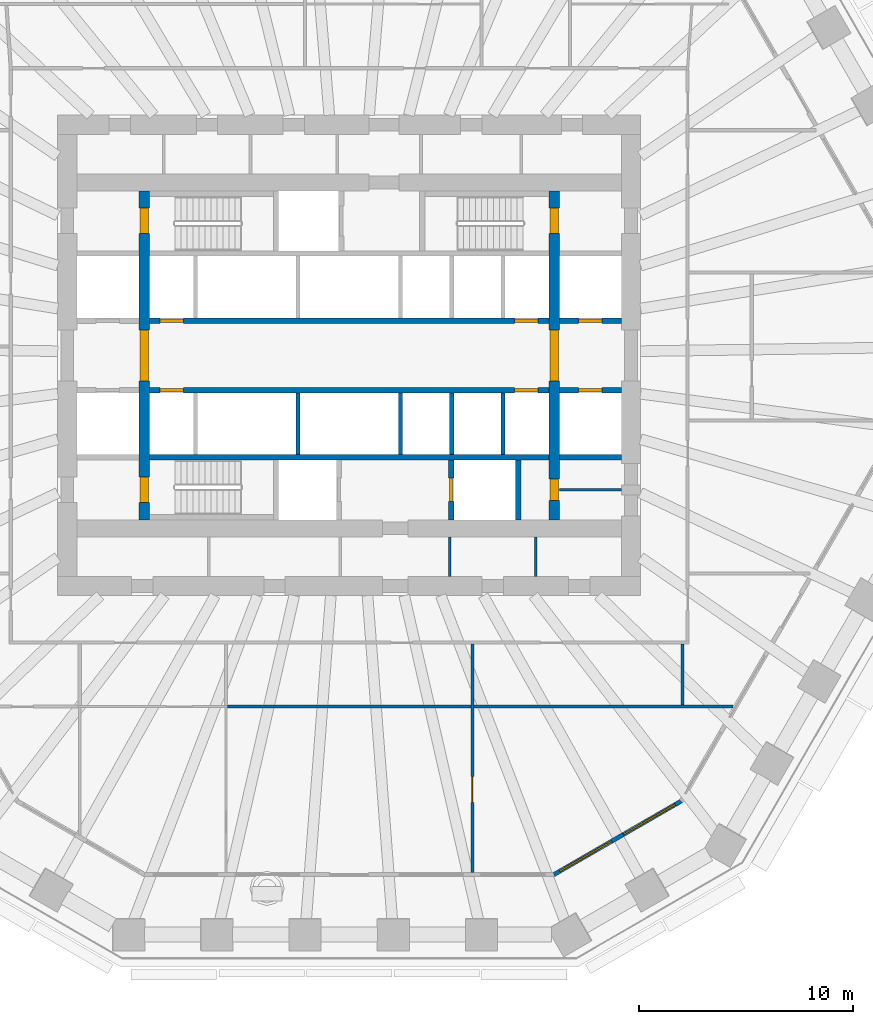
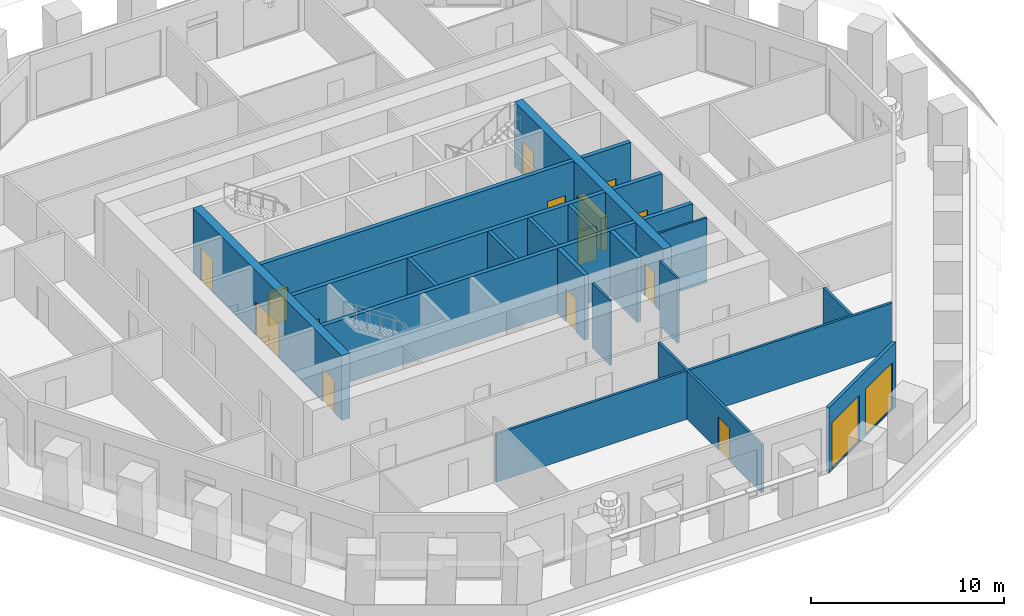
# One storey, part 5 of 13: 21 walls, 14 doors, 2 windows, 16 openings.
"""IFC4 building model written with IfcOpenShell, lengths in metres."""

import ifcopenshell
import ifcopenshell.guid

model = None  # the IFC model being written
_history = None  # IfcOwnerHistory: only IFC2X3 demands one
_inside = {}  # id of a spatial element -> (the spatial element, [elements in it])
_under = {}  # id of a project, library or spatial element -> (it, [spatial elements below it])
_declared = {}  # id of a project -> (the project, [libraries it declares])
_typed = {}  # id of a type object -> (the type object, [elements of that type])
_made_of = {}  # id of a material, layer set ... -> (it, [elements and type objects made of it])


def new_model(schema):
    """Start an empty IFC model of exactly this schema.

    Asked for "IFC4X3", IfcOpenShell would pick the latest addendum, in which some entities
    have other attributes; the version numbers below select the first issue.
    IFC2X3 requires an IfcOwnerHistory on every rooted entity: one is made here for all.
    """
    global model, _history
    if schema == "IFC4X3":
        model = ifcopenshell.file(schema_version=(4, 3, 0, 0))
    else:
        model = ifcopenshell.file(schema=schema)
    _inside.clear()
    _under.clear()
    _declared.clear()
    _typed.clear()
    _made_of.clear()
    _history = None
    if model.schema == "IFC2X3":
        org = make("IfcOrganization", Name="unknown")
        user = make(
            "IfcPersonAndOrganization",
            ThePerson=make("IfcPerson", FamilyName="unknown"),
            TheOrganization=org,
        )
        app = make(
            "IfcApplication",
            ApplicationDeveloper=org,
            Version="unknown",
            ApplicationFullName="unknown",
            ApplicationIdentifier="unknown",
        )
        _history = make(
            "IfcOwnerHistory",
            OwningUser=user,
            OwningApplication=app,
            ChangeAction="ADDED",
            CreationDate=0,
        )
    return model


def make(cls, **values):
    """One entity of the class cls with the attributes given. An attribute that is None is left unset."""
    return model.create_entity(
        cls, **{name: value for name, value in values.items() if value is not None}
    )


def rooted(cls, **values):
    """An entity with a GlobalId (a new one), such as an element, a storey or a relation."""
    return make(cls, GlobalId=ifcopenshell.guid.new(), OwnerHistory=_history, **values)


def si_unit(unit_type, name, prefix=None):
    """IfcSIUnit, for example si_unit("LENGTHUNIT", "METRE", prefix="MILLI")."""
    return make("IfcSIUnit", UnitType=unit_type, Prefix=prefix, Name=name)


def assignment(units):
    """IfcUnitAssignment: the units of a project."""
    return None if units is None else make("IfcUnitAssignment", Units=units)


def point(xyz):
    """IfcCartesianPoint."""
    return None if xyz is None else make("IfcCartesianPoint", Coordinates=xyz)


def direction(xyz):
    """IfcDirection."""
    return None if xyz is None else make("IfcDirection", DirectionRatios=xyz)


def frame(location, z_axis=None, x_axis=None):
    """IfcAxis2Placement3D, a coordinate frame: its origin and axes. An axis left out is left unset."""
    return make(
        "IfcAxis2Placement3D",
        Location=point(location),
        Axis=direction(z_axis),
        RefDirection=direction(x_axis),
    )


def frame_2d(location, x_axis=None):
    """IfcAxis2Placement2D, a coordinate frame in the plane: its origin and x axis."""
    return make(
        "IfcAxis2Placement2D", Location=point(location), RefDirection=direction(x_axis)
    )


def origin():
    """The frame at (0, 0, 0) with its axes left unset."""
    return frame((0.0, 0.0, 0.0))


def place(relative_to, where):
    """IfcLocalPlacement: puts the frame where relative to a parent placement (None: the world)."""
    return make(
        "IfcLocalPlacement", PlacementRelTo=relative_to, RelativePlacement=where
    )


def context(
    kind, dimensions, precision=None, world=None, true_north=None, identifier=None
):
    """IfcGeometricRepresentationContext, for example the 3D "Model" context."""
    return make(
        "IfcGeometricRepresentationContext",
        ContextIdentifier=identifier,
        ContextType=kind,
        CoordinateSpaceDimension=dimensions,
        Precision=precision,
        WorldCoordinateSystem=world,
        TrueNorth=true_north,
    )


def subcontext(parent, identifier, kind, view, scale=None):
    """IfcGeometricRepresentationSubContext, for example "Body" below "Model"."""
    return make(
        "IfcGeometricRepresentationSubContext",
        ContextIdentifier=identifier,
        ContextType=kind,
        ParentContext=parent,
        TargetScale=scale,
        TargetView=view,
    )


def project(units=None, contexts=None):
    """IfcProject with its units and contexts."""
    return rooted(
        "IfcProject",
        Name="project",
        RepresentationContexts=contexts,
        UnitsInContext=assignment(units),
    )


def spatial(cls, under=None, at=None, **own):
    """A site, building, storey or space (cls), placed at a placement, below another one or the project."""
    s = rooted(cls, ObjectPlacement=at, **own)
    if under is not None:
        _under.setdefault(under.id(), (under, []))[1].append(s)
    return s


def polyline(points):
    """IfcPolyline through the points."""
    return make("IfcPolyline", Points=[point(p) for p in points])


def profile(cls, at=None, kind="AREA", **sizes):
    """A parametric profile (cls). Its sizes go by their IFC names, for example OverallWidth=200.0."""
    return make(cls, ProfileType=kind, Position=at, **sizes)


def rectangle(**sizes):
    """IfcRectangleProfileDef."""
    return profile("IfcRectangleProfileDef", **sizes)


def outline(outer, holes=None, kind="AREA"):
    """IfcArbitraryClosedProfileDef: a profile drawn as a closed curve; with holes, ...WithVoids."""
    if holes is None:
        return make("IfcArbitraryClosedProfileDef", ProfileType=kind, OuterCurve=outer)
    return make(
        "IfcArbitraryProfileDefWithVoids",
        ProfileType=kind,
        OuterCurve=outer,
        InnerCurves=holes,
    )


def extrude(swept, where, along, depth):
    """IfcExtrudedAreaSolid: the profile swept, set in the frame where, extruded along a direction by depth."""
    return make(
        "IfcExtrudedAreaSolid",
        SweptArea=swept,
        Position=where,
        ExtrudedDirection=direction(along),
        Depth=depth,
    )


def shape(context_of_items, identifier, shape_type, items):
    """IfcShapeRepresentation: the items that make up one representation, for example the "Body"."""
    return make(
        "IfcShapeRepresentation",
        ContextOfItems=context_of_items,
        RepresentationIdentifier=identifier,
        RepresentationType=shape_type,
        Items=items,
    )


def material(Name=None, Category=None):
    """IfcMaterial."""
    return make("IfcMaterial", Name=Name, Category=Category)


def layer(
    of_material, thickness, ventilated=None, Name=None, Category=None, Priority=None
):
    """IfcMaterialLayer: one layer of a wall or slab, of a material (None: an air gap)."""
    return make(
        "IfcMaterialLayer",
        Material=of_material,
        LayerThickness=thickness,
        IsVentilated=ventilated,
        Name=Name,
        Category=Category,
        Priority=Priority,
    )


def layer_set(layers, Name=None):
    """IfcMaterialLayerSet."""
    return make("IfcMaterialLayerSet", MaterialLayers=layers, LayerSetName=Name)


def made_of(thing, what):
    """Note that an element or type object is made of a material, layer set ...; save() writes the relation."""
    if what is not None:
        _made_of.setdefault(what.id(), (what, []))[1].append(thing)
    return thing


def type_object(cls, material=None, **own):
    """A type object (cls), such as IfcWallType, which elements share."""
    return made_of(rooted(cls, **own), material)


def element(
    cls,
    number,
    at=None,
    inside=None,
    cuts=None,
    type_object=None,
    material=None,
    context=None,
    identifier="Body",
    shape_type=None,
    held_by="IfcProductDefinitionShape",
    body=None,
    shapes=None,
    **own,
):
    """One element of the class cls, such as IfcWall. Its Tag is "e" and its number.

    at: its placement. inside: the storey or other place that contains it. cuts: it is an
    opening in that element (IfcRelVoidsElement). A single representation is given by context,
    identifier, shape_type and body (its items); several are given by shapes. held_by: the class
    of the entity that holds the representations. save() writes the other relations.
    """
    e = rooted(cls, Tag="e%d" % number, ObjectPlacement=at, **own)
    if body is not None:
        shapes = [shape(context, identifier, shape_type, body)]
    if shapes is not None:
        e.Representation = make(held_by, Representations=shapes)
    if inside is not None:
        _inside.setdefault(inside.id(), (inside, []))[1].append(e)
    if cuts is not None:
        rooted(
            "IfcRelVoidsElement", RelatingBuildingElement=cuts, RelatedOpeningElement=e
        )
    if type_object is not None:
        _typed.setdefault(type_object.id(), (type_object, []))[1].append(e)
    return made_of(e, material)


def fill(opening, filler):
    """IfcRelFillsElement: the door or window that sits in an opening."""
    return rooted(
        "IfcRelFillsElement",
        RelatingOpeningElement=opening,
        RelatedBuildingElement=filler,
    )


def aggregate(whole, parts):
    """IfcRelAggregates: a whole, such as a stair, and the parts it consists of."""
    return rooted("IfcRelAggregates", RelatingObject=whole, RelatedObjects=parts)


def save(model, path):
    """Write the relations noted so far, then the file.

    IfcRelAggregates (storeys below a building ...), IfcRelContainedInSpatialStructure (elements
    in a storey), IfcRelDefinesByType, IfcRelAssociatesMaterial and IfcRelDeclares: one each for
    every whole, place, type object, material and project.
    """
    for whole, parts in _under.values():
        aggregate(whole, parts)
    for where, things in _inside.values():
        rooted(
            "IfcRelContainedInSpatialStructure",
            RelatedElements=things,
            RelatingStructure=where,
        )
    for kind, things in _typed.values():
        rooted("IfcRelDefinesByType", RelatedObjects=things, RelatingType=kind)
    for what, things in _made_of.values():
        rooted("IfcRelAssociatesMaterial", RelatedObjects=things, RelatingMaterial=what)
    for by, libraries in _declared.values():
        rooted("IfcRelDeclares", RelatingContext=by, RelatedDefinitions=libraries)
    model.write(path)


model = new_model("IFC4")

# Units and contexts
model_context = context("Model", 3, precision=1e-05, world=origin(), true_north=direction((0.0, 1.0)))
body_context = subcontext(model_context, "Body", "Model", "MODEL_VIEW")
ifc_project = project(units=[si_unit("LENGTHUNIT", "METRE"), si_unit("AREAUNIT", "SQUARE_METRE"), si_unit("VOLUMEUNIT", "CUBIC_METRE"), si_unit("PLANEANGLEUNIT", "RADIAN"), si_unit("MASSUNIT", "GRAM", prefix="KILO")], contexts=[model_context])

# Site, building, storey
site_placement = place(None, origin())
site = spatial("IfcSite", under=ifc_project, at=site_placement, CompositionType="ELEMENT")
building_placement = place(site_placement, origin())
building = spatial("IfcBuilding", under=site, at=building_placement, Name="Frailejon Research Tower", CompositionType="ELEMENT")
storey_placement = place(building_placement, frame((0.0, 0.0, 27.800048828125)))
storey = spatial("IfcBuildingStorey", under=building, at=storey_placement, Name="L06", CompositionType="ELEMENT", Elevation=27.800048828125)

# Walls
ifc_material_1 = material(Name="Plasterboard on steel studs", Category="steel")
ifc_layer_1 = layer(ifc_material_1, 0.125)
ifc_layer_set_1 = layer_set([ifc_layer_1], Name="Core partition 125")
wall_type_1 = type_object("IfcWallType", Name="Core partition 125", PredefinedType="PARTITIONING", material=ifc_layer_set_1)
wall_1_placement = place(storey_placement, frame((9.85009765625, -6.300048828125, 0.0), z_axis=(0.0, 0.0, 1.0), x_axis=(1.0, 0.0, 0.0)))
element("IfcWall", 1, at=wall_1_placement, inside=storey, type_object=wall_type_1, Name="Core partition", PredefinedType="PARTITIONING", context=body_context, shape_type="SweptSolid", body=[
    extrude(rectangle(XDim=2.89990234375, YDim=0.125, at=frame_2d((1.449951171875, 0.0))), origin(), (0.0, 0.0, 1.0), 4.099853515625),
])
for number, where, z_axis, x_axis, name in (
    (2, (4.71240234375, -10.35009765625, 0.0), (0.0, 0.0, 1.0), (0.0, 1.0, 0.0), "Core partition"),
    (3, (8.731201171875, -10.35009765625, 0.0), (0.0, 0.0, 1.0), (0.0, 1.0, 0.0), "Core partition"),
):
    element("IfcWall", number, at=place(storey_placement, frame(where, z_axis=z_axis, x_axis=x_axis)), inside=storey, type_object=wall_type_1, Name=name, PredefinedType="PARTITIONING", context=body_context, shape_type="SweptSolid", body=[
        extrude(rectangle(XDim=1.85009765625, YDim=0.125, at=frame_2d((0.925048828125, 0.0))), origin(), (0.0, 0.0, 1.0), 4.099853515625),
    ])

# Wall, openings, doors
ifc_material_2 = material(Name="Concrete C70/85", Category="concrete")
ifc_layer_2 = layer(ifc_material_2, 0.5)
ifc_layer_set_2 = layer_set([ifc_layer_2], Name="Core shear wall 500 C70/85")
wall_type_2 = type_object("IfcWallType", Name="Core shear wall 500 C70/85", PredefinedType="SHEAR", material=ifc_layer_set_2)
wall_2_placement = place(storey_placement, frame((-9.60009765625, -7.699951171875, 0.0), z_axis=(0.0, 0.0, 1.0), x_axis=(0.0, 1.0, 0.0)))
wall_2 = element("IfcWall", 4, at=wall_2_placement, inside=storey, type_object=wall_type_2, Name="Core shear wall", PredefinedType="SHEAR", context=body_context, shape_type="SweptSolid", body=[
    extrude(rectangle(XDim=15.39990234375, YDim=0.5, at=frame_2d((7.699951171875, 0.0))), origin(), (0.0, 0.0, 1.0), 4.099853515625),
])
opening_1_placement = place(wall_2_placement, frame((6.5, 0.0, 0.0)))
opening_1 = element("IfcOpeningElement", 5, at=opening_1_placement, cuts=wall_2, Name="Opening D2", PredefinedType="OPENING", context=body_context, shape_type="SweptSolid", body=[
    extrude(rectangle(XDim=2.39990234375, YDim=2.10009765625, at=frame_2d((1.199951171875, 1.050048828125))), frame((0.0, 0.260009765625, 0.0), z_axis=(0.0, -1.0, 0.0), x_axis=(1.0, 0.0, 0.0)), (0.0, 0.0, 1.0), 0.52001953125),
])
opening_2_placement = place(wall_2_placement, frame((13.39990234375, 0.0, 0.0)))
opening_2 = element("IfcOpeningElement", 6, at=opening_2_placement, cuts=wall_2, Name="Opening D1", PredefinedType="OPENING", context=body_context, shape_type="SweptSolid", body=[
    extrude(rectangle(XDim=1.199951171875, YDim=2.10009765625, at=frame_2d((0.60009765625, 1.050048828125))), frame((0.0, 0.260009765625, 0.0), z_axis=(0.0, -1.0, 0.0), x_axis=(1.0, 0.0, 0.0)), (0.0, 0.0, 1.0), 0.52001953125),
])
opening_3_placement = place(wall_2_placement, frame((0.800048828125, 0.0, 0.0)))
opening_3 = element("IfcOpeningElement", 7, at=opening_3_placement, cuts=wall_2, Name="Opening D1", PredefinedType="OPENING", context=body_context, shape_type="SweptSolid", body=[
    extrude(rectangle(XDim=1.199951171875, YDim=2.10009765625, at=frame_2d((0.60009765625, 1.050048828125))), frame((0.0, 0.260009765625, 0.0), z_axis=(0.0, -1.0, 0.0), x_axis=(1.0, 0.0, 0.0)), (0.0, 0.0, 1.0), 0.52001953125),
])
ifc_material_3 = material(Name="Steel", Category="steel")
door_type_1 = type_object("IfcDoorType", Name="Lobby double door", OperationType="DOUBLE_DOOR_SINGLE_SWING", PredefinedType="DOOR", material=ifc_material_3)
door_1_placement = place(opening_1_placement, origin())
door_1 = element("IfcDoor", 8, at=door_1_placement, inside=storey, type_object=door_type_1, Name="Lobby door", OperationType="DOUBLE_DOOR_SINGLE_SWING", OverallHeight=2.10009765625, OverallWidth=2.39990234375, PredefinedType="DOOR", context=body_context, shape_type="SweptSolid", body=[
    extrude(rectangle(XDim=2.39990234375, YDim=2.10009765625, at=frame_2d((1.199951171875, 1.050048828125))), frame((0.0, 0.199951171875, 0.0), z_axis=(0.0, -1.0, 0.0), x_axis=(1.0, 0.0, 0.0)), (0.0, 0.0, 1.0), 0.39990234375),
])
fill(opening_1, door_1)
ifc_material_4 = material(Name="Steel", Category="steel")
door_type_2 = type_object("IfcDoorType", Name="Stair door", OperationType="SINGLE_SWING_LEFT", PredefinedType="DOOR", material=ifc_material_4)
door_2_placement = place(opening_2_placement, origin())
door_2 = element("IfcDoor", 9, at=door_2_placement, inside=storey, type_object=door_type_2, Name="Stair door ST1", OperationType="SINGLE_SWING_RIGHT", OverallHeight=2.10009765625, OverallWidth=1.199951171875, PredefinedType="DOOR", context=body_context, shape_type="SweptSolid", body=[
    extrude(rectangle(XDim=1.199951171875, YDim=2.10009765625, at=frame_2d((0.60009765625, 1.050048828125))), frame((0.0, 0.199951171875, 0.0), z_axis=(0.0, -1.0, 0.0), x_axis=(1.0, 0.0, 0.0)), (0.0, 0.0, 1.0), 0.39990234375),
])
fill(opening_2, door_2)
door_3_placement = place(opening_3_placement, origin())
door_3 = element("IfcDoor", 10, at=door_3_placement, inside=storey, type_object=door_type_2, Name="Stair door ST2", OperationType="SINGLE_SWING_RIGHT", OverallHeight=2.10009765625, OverallWidth=1.199951171875, PredefinedType="DOOR", context=body_context, shape_type="SweptSolid", body=[
    extrude(rectangle(XDim=1.199951171875, YDim=2.10009765625, at=frame_2d((0.60009765625, 1.050048828125))), frame((0.0, 0.199951171875, 0.0), z_axis=(0.0, -1.0, 0.0), x_axis=(1.0, 0.0, 0.0)), (0.0, 0.0, 1.0), 0.39990234375),
])
fill(opening_3, door_3)

wall_3_placement = place(storey_placement, frame((9.60009765625, -7.699951171875, 0.0), z_axis=(0.0, 0.0, 1.0), x_axis=(0.0, 1.0, 0.0)))
wall_3 = element("IfcWall", 11, at=wall_3_placement, inside=storey, type_object=wall_type_2, Name="Core shear wall", PredefinedType="SHEAR", context=body_context, shape_type="SweptSolid", body=[
    extrude(rectangle(XDim=15.39990234375, YDim=0.5, at=frame_2d((7.699951171875, 0.0))), origin(), (0.0, 0.0, 1.0), 4.099853515625),
])
opening_4_placement = place(wall_3_placement, frame((6.5, 0.0, 0.0)))
opening_4 = element("IfcOpeningElement", 12, at=opening_4_placement, cuts=wall_3, Name="Opening D2", PredefinedType="OPENING", context=body_context, shape_type="SweptSolid", body=[
    extrude(rectangle(XDim=2.39990234375, YDim=2.10009765625, at=frame_2d((1.199951171875, 1.050048828125))), frame((0.0, 0.260009765625, 0.0), z_axis=(0.0, -1.0, 0.0), x_axis=(1.0, 0.0, 0.0)), (0.0, 0.0, 1.0), 0.52001953125),
])
opening_5_placement = place(wall_3_placement, frame((13.39990234375, 0.0, 0.0)))
opening_5 = element("IfcOpeningElement", 13, at=opening_5_placement, cuts=wall_3, Name="Opening D1", PredefinedType="OPENING", context=body_context, shape_type="SweptSolid", body=[
    extrude(rectangle(XDim=1.199951171875, YDim=2.10009765625, at=frame_2d((0.60009765625, 1.050048828125))), frame((0.0, 0.260009765625, 0.0), z_axis=(0.0, -1.0, 0.0), x_axis=(1.0, 0.0, 0.0)), (0.0, 0.0, 1.0), 0.52001953125),
])
opening_6_placement = place(wall_3_placement, frame((0.89990234375, 0.0, 0.0)))
opening_6 = element("IfcOpeningElement", 14, at=opening_6_placement, cuts=wall_3, Name="Opening D4", PredefinedType="OPENING", context=body_context, shape_type="SweptSolid", body=[
    extrude(rectangle(XDim=1.0, YDim=2.10009765625, at=frame_2d((0.5, 1.050048828125))), frame((0.0, 0.260009765625, 0.0), z_axis=(0.0, -1.0, 0.0), x_axis=(1.0, 0.0, 0.0)), (0.0, 0.0, 1.0), 0.52001953125),
])
door_4_placement = place(opening_4_placement, origin())
door_4 = element("IfcDoor", 15, at=door_4_placement, inside=storey, type_object=door_type_1, Name="Lobby door", OperationType="DOUBLE_DOOR_SINGLE_SWING", OverallHeight=2.10009765625, OverallWidth=2.39990234375, PredefinedType="DOOR", context=body_context, shape_type="SweptSolid", body=[
    extrude(rectangle(XDim=2.39990234375, YDim=2.10009765625, at=frame_2d((1.199951171875, 1.050048828125))), frame((0.0, 0.199951171875, 0.0), z_axis=(0.0, -1.0, 0.0), x_axis=(1.0, 0.0, 0.0)), (0.0, 0.0, 1.0), 0.39990234375),
])
fill(opening_4, door_4)
ifc_material_5 = material(Name="Steel", Category="steel")
door_type_3 = type_object("IfcDoorType", Name="Service door", OperationType="SINGLE_SWING_LEFT", PredefinedType="DOOR", material=ifc_material_5)
door_5_placement = place(opening_6_placement, origin())
door_5 = element("IfcDoor", 16, at=door_5_placement, inside=storey, type_object=door_type_3, Name="Riser door", OperationType="SINGLE_SWING_RIGHT", OverallHeight=2.10009765625, OverallWidth=1.0, PredefinedType="DOOR", context=body_context, shape_type="SweptSolid", body=[
    extrude(rectangle(XDim=1.0, YDim=2.10009765625, at=frame_2d((0.5, 1.050048828125))), frame((0.0, 0.199951171875, 0.0), z_axis=(0.0, -1.0, 0.0), x_axis=(1.0, 0.0, 0.0)), (0.0, 0.0, 1.0), 0.39990234375),
])
fill(opening_6, door_5)
door_6_placement = place(opening_5_placement, origin())
door_6 = element("IfcDoor", 17, at=door_6_placement, inside=storey, type_object=door_type_2, Name="Stair door ST3", OperationType="SINGLE_SWING_RIGHT", OverallHeight=2.10009765625, OverallWidth=1.199951171875, PredefinedType="DOOR", context=body_context, shape_type="SweptSolid", body=[
    extrude(rectangle(XDim=1.199951171875, YDim=2.10009765625, at=frame_2d((0.60009765625, 1.050048828125))), frame((0.0, 0.199951171875, 0.0), z_axis=(0.0, -1.0, 0.0), x_axis=(1.0, 0.0, 0.0)), (0.0, 0.0, 1.0), 0.39990234375),
])
fill(opening_5, door_6)

# Wall
ifc_material_6 = material(Name="Gypsum board and masonry partition", Category="masonry")
ifc_layer_3 = layer(ifc_material_6, 0.14990234375)
ifc_layer_set_3 = layer_set([ifc_layer_3], Name="Laboratory partition, blockwork 150")
wall_type_3 = type_object("IfcWallType", Name="Laboratory partition, blockwork 150", PredefinedType="PARTITIONING", material=ifc_layer_set_3)
wall_4_placement = place(storey_placement, frame((-5.695068359375, -16.449951171875, 0.0), z_axis=(0.0, 0.0, 1.0), x_axis=(1.0, 0.0, 0.0)))
element("IfcWall", 18, at=wall_4_placement, inside=storey, type_object=wall_type_3, Name="T:IW:L06:020", PredefinedType="PARTITIONING", context=body_context, shape_type="SweptSolid", body=[
    extrude(rectangle(XDim=23.6796875, YDim=0.14990234375, at=frame_2d((11.83984375, 0.0))), origin(), (0.0, 0.0, 1.0), 3.050048828125),
])

# Wall, opening, door
wall_5_placement = place(storey_placement, frame((5.77001953125, -24.21484375, 0.0), z_axis=(0.0, 0.0, 1.0), x_axis=(0.0, 1.0, 0.0)))
wall_5 = element("IfcWall", 19, at=wall_5_placement, inside=storey, type_object=wall_type_3, Name="T:IW:L06:023", PredefinedType="PARTITIONING", context=body_context, shape_type="SweptSolid", body=[
    extrude(rectangle(XDim=10.68994140625, YDim=0.14990234375, at=frame_2d((5.344970703125, 0.0))), origin(), (0.0, 0.0, 1.0), 3.050048828125),
])
opening_7_placement = place(wall_5_placement, frame((3.282470703125, 0.0, 0.0)))
opening_7 = element("IfcOpeningElement", 20, at=opening_7_placement, cuts=wall_5, Name="Opening D1315", PredefinedType="OPENING", context=body_context, shape_type="SweptSolid", body=[
    extrude(rectangle(XDim=1.199951171875, YDim=2.10009765625, at=frame_2d((0.60009765625, 1.050048828125))), frame((0.0, 0.0849609375, 0.0), z_axis=(0.0, -1.0, 0.0), x_axis=(1.0, 0.0, 0.0)), (0.0, 0.0, 1.0), 0.169921875),
])
ifc_material_7 = material(Name="Timber door leaf", Category="wood")
door_type_4 = type_object("IfcDoorType", Name="Door laboratory, timber, vision panel 1200", OperationType="NOTDEFINED", PredefinedType="DOOR", material=ifc_material_7)
door_7_placement = place(opening_7_placement, origin())
door_7 = element("IfcDoor", 21, at=door_7_placement, inside=storey, type_object=door_type_4, Name="D1315", OperationType="DOUBLE_DOOR_SINGLE_SWING", OverallHeight=2.10009765625, OverallWidth=1.199951171875, PredefinedType="DOOR", context=body_context, shape_type="SweptSolid", body=[
    extrude(rectangle(XDim=1.199951171875, YDim=2.10009765625, at=frame_2d((0.60009765625, 1.050048828125))), frame((0.0, 0.02490234375, 0.0), z_axis=(0.0, -1.0, 0.0), x_axis=(1.0, 0.0, 0.0)), (0.0, 0.0, 1.0), 0.050048828125),
])
fill(opening_7, door_7)

# Walls
wall_6_placement = place(storey_placement, frame((15.616943359375, -16.375, 0.0), z_axis=(0.0, 0.0, 1.0), x_axis=(0.0, 1.0, 0.0)))
element("IfcWall", 22, at=wall_6_placement, inside=storey, type_object=wall_type_3, Name="T:IW:L06:024", PredefinedType="PARTITIONING", context=body_context, shape_type="SweptSolid", body=[
    extrude(rectangle(XDim=2.85009765625, YDim=0.14990234375, at=frame_2d((1.425048828125, 0.0))), origin(), (0.0, 0.0, 1.0), 3.050048828125),
])
ifc_material_8 = material(Name="Concrete C70/85", Category="concrete")
ifc_layer_4 = layer(ifc_material_8, 0.199951171875)
ifc_layer_set_4 = layer_set([ifc_layer_4], Name="Shaft wall 200 C70/85")
wall_type_4 = type_object("IfcWallType", Name="Shaft wall 200 C70/85", PredefinedType="SOLIDWALL", material=ifc_layer_set_4)
for number, where, z_axis, x_axis, name in (
    (23, (-2.39990234375, -4.64990234375, 0.0), (0.0, 0.0, 1.0), (0.0, 1.0, 0.0), "Shaft wall"),
    (24, (2.39990234375, -4.64990234375, 0.0), (0.0, 0.0, 1.0), (0.0, 1.0, 0.0), "Shaft wall"),
    (25, (4.800048828125, -4.64990234375, 0.0), (0.0, 0.0, 1.0), (0.0, 1.0, 0.0), "Shaft wall"),
    (26, (7.199951171875, -4.64990234375, 0.0), (0.0, 0.0, 1.0), (0.0, 1.0, 0.0), "Shaft wall"),
):
    element("IfcWall", number, at=place(storey_placement, frame(where, z_axis=z_axis, x_axis=x_axis)), inside=storey, type_object=wall_type_4, Name=name, PredefinedType="SOLIDWALL", context=body_context, shape_type="SweptSolid", body=[
        extrude(rectangle(XDim=2.89990234375, YDim=0.199951171875, at=frame_2d((1.449951171875, 0.0))), origin(), (0.0, 0.0, 1.0), 4.099853515625),
    ])

# Wall, openings, doors
ifc_material_9 = material(Name="Concrete C70/85", Category="concrete")
ifc_layer_5 = layer(ifc_material_9, 0.25)
ifc_layer_set_5 = layer_set([ifc_layer_5], Name="Shaft wall 250 C70/85")
wall_type_5 = type_object("IfcWallType", Name="Shaft wall 250 C70/85", PredefinedType="SOLIDWALL", material=ifc_layer_set_5)
wall_7_placement = place(storey_placement, frame((-9.35009765625, 1.625, 0.0), z_axis=(0.0, 0.0, 1.0), x_axis=(1.0, 0.0, 0.0)))
wall_7 = element("IfcWall", 27, at=wall_7_placement, inside=storey, type_object=wall_type_5, Name="Shaft wall", PredefinedType="SOLIDWALL", context=body_context, shape_type="SweptSolid", body=[
    extrude(rectangle(XDim=18.7001953125, YDim=0.25, at=frame_2d((9.35009765625, 0.0))), origin(), (0.0, 0.0, 1.0), 4.099853515625),
])
opening_8_placement = place(wall_7_placement, frame((0.5, 0.0, 0.0)))
opening_8 = element("IfcOpeningElement", 28, at=opening_8_placement, cuts=wall_7, Name="Opening LD", PredefinedType="OPENING", context=body_context, shape_type="SweptSolid", body=[
    extrude(rectangle(XDim=1.10009765625, YDim=2.10009765625, at=frame_2d((0.550048828125, 1.050048828125))), frame((0.0, 0.135009765625, 0.0), z_axis=(0.0, -1.0, 0.0), x_axis=(1.0, 0.0, 0.0)), (0.0, 0.0, 1.0), 0.27001953125),
])
opening_9_placement = place(wall_7_placement, frame((17.10009765625, 0.0, 0.0)))
opening_9 = element("IfcOpeningElement", 29, at=opening_9_placement, cuts=wall_7, Name="Opening LD", PredefinedType="OPENING", context=body_context, shape_type="SweptSolid", body=[
    extrude(rectangle(XDim=1.10009765625, YDim=2.10009765625, at=frame_2d((0.550048828125, 1.050048828125))), frame((0.0, 0.135009765625, 0.0), z_axis=(0.0, -1.0, 0.0), x_axis=(1.0, 0.0, 0.0)), (0.0, 0.0, 1.0), 0.27001953125),
])
ifc_material_10 = material(Name="Steel", Category="steel")
door_type_5 = type_object("IfcDoorType", Name="Lift landing door", OperationType="DOUBLE_DOOR_SLIDING", PredefinedType="DOOR", material=ifc_material_10)
door_8_placement = place(opening_8_placement, origin())
door_8 = element("IfcDoor", 30, at=door_8_placement, inside=storey, type_object=door_type_5, Name="Lift landing door", OperationType="DOUBLE_DOOR_SLIDING", OverallHeight=2.10009765625, OverallWidth=1.10009765625, PredefinedType="DOOR", context=body_context, shape_type="SweptSolid", body=[
    extrude(rectangle(XDim=1.10009765625, YDim=2.10009765625, at=frame_2d((0.550048828125, 1.050048828125))), frame((0.0, 0.074951171875, 0.0), z_axis=(0.0, -1.0, 0.0), x_axis=(1.0, 0.0, 0.0)), (0.0, 0.0, 1.0), 0.14990234375),
])
fill(opening_8, door_8)
door_9_placement = place(opening_9_placement, origin())
door_9 = element("IfcDoor", 31, at=door_9_placement, inside=storey, type_object=door_type_5, Name="Lift landing door", OperationType="DOUBLE_DOOR_SLIDING", OverallHeight=2.10009765625, OverallWidth=1.10009765625, PredefinedType="DOOR", context=body_context, shape_type="SweptSolid", body=[
    extrude(rectangle(XDim=1.10009765625, YDim=2.10009765625, at=frame_2d((0.550048828125, 1.050048828125))), frame((0.0, 0.074951171875, 0.0), z_axis=(0.0, -1.0, 0.0), x_axis=(1.0, 0.0, 0.0)), (0.0, 0.0, 1.0), 0.14990234375),
])
fill(opening_9, door_9)

# Wall, opening, door
wall_8_placement = place(storey_placement, frame((9.85009765625, 1.625, 0.0), z_axis=(0.0, 0.0, 1.0), x_axis=(1.0, 0.0, 0.0)))
wall_8 = element("IfcWall", 32, at=wall_8_placement, inside=storey, type_object=wall_type_5, Name="Shaft wall", PredefinedType="SOLIDWALL", context=body_context, shape_type="SweptSolid", body=[
    extrude(rectangle(XDim=2.89990234375, YDim=0.25, at=frame_2d((1.449951171875, 0.0))), origin(), (0.0, 0.0, 1.0), 4.099853515625),
])
opening_10_placement = place(wall_8_placement, frame((0.89990234375, 0.0, 0.0)))
opening_10 = element("IfcOpeningElement", 33, at=opening_10_placement, cuts=wall_8, Name="Opening LD", PredefinedType="OPENING", context=body_context, shape_type="SweptSolid", body=[
    extrude(rectangle(XDim=1.10009765625, YDim=2.10009765625, at=frame_2d((0.550048828125, 1.050048828125))), frame((0.0, 0.135009765625, 0.0), z_axis=(0.0, -1.0, 0.0), x_axis=(1.0, 0.0, 0.0)), (0.0, 0.0, 1.0), 0.27001953125),
])
door_10_placement = place(opening_10_placement, origin())
door_10 = element("IfcDoor", 34, at=door_10_placement, inside=storey, type_object=door_type_5, Name="Lift landing door", OperationType="DOUBLE_DOOR_SLIDING", OverallHeight=2.10009765625, OverallWidth=1.10009765625, PredefinedType="DOOR", context=body_context, shape_type="SweptSolid", body=[
    extrude(rectangle(XDim=1.10009765625, YDim=2.10009765625, at=frame_2d((0.550048828125, 1.050048828125))), frame((0.0, 0.074951171875, 0.0), z_axis=(0.0, -1.0, 0.0), x_axis=(1.0, 0.0, 0.0)), (0.0, 0.0, 1.0), 0.14990234375),
])
fill(opening_10, door_10)

# Wall, openings, doors
wall_9_placement = place(storey_placement, frame((-9.35009765625, -1.625, 0.0), z_axis=(0.0, 0.0, 1.0), x_axis=(1.0, 0.0, 0.0)))
wall_9 = element("IfcWall", 35, at=wall_9_placement, inside=storey, type_object=wall_type_5, Name="Shaft wall", PredefinedType="SOLIDWALL", context=body_context, shape_type="SweptSolid", body=[
    extrude(rectangle(XDim=18.7001953125, YDim=0.25, at=frame_2d((9.35009765625, 0.0))), origin(), (0.0, 0.0, 1.0), 4.099853515625),
])
opening_11_placement = place(wall_9_placement, frame((0.5, 0.0, 0.0)))
opening_11 = element("IfcOpeningElement", 36, at=opening_11_placement, cuts=wall_9, Name="Opening LD", PredefinedType="OPENING", context=body_context, shape_type="SweptSolid", body=[
    extrude(rectangle(XDim=1.10009765625, YDim=2.10009765625, at=frame_2d((0.550048828125, 1.050048828125))), frame((0.0, 0.135009765625, 0.0), z_axis=(0.0, -1.0, 0.0), x_axis=(1.0, 0.0, 0.0)), (0.0, 0.0, 1.0), 0.27001953125),
])
opening_12_placement = place(wall_9_placement, frame((17.10009765625, 0.0, 0.0)))
opening_12 = element("IfcOpeningElement", 37, at=opening_12_placement, cuts=wall_9, Name="Opening LD", PredefinedType="OPENING", context=body_context, shape_type="SweptSolid", body=[
    extrude(rectangle(XDim=1.10009765625, YDim=2.10009765625, at=frame_2d((0.550048828125, 1.050048828125))), frame((0.0, 0.135009765625, 0.0), z_axis=(0.0, -1.0, 0.0), x_axis=(1.0, 0.0, 0.0)), (0.0, 0.0, 1.0), 0.27001953125),
])
door_11_placement = place(opening_11_placement, origin())
door_11 = element("IfcDoor", 38, at=door_11_placement, inside=storey, type_object=door_type_5, Name="Lift landing door", OperationType="DOUBLE_DOOR_SLIDING", OverallHeight=2.10009765625, OverallWidth=1.10009765625, PredefinedType="DOOR", context=body_context, shape_type="SweptSolid", body=[
    extrude(rectangle(XDim=1.10009765625, YDim=2.10009765625, at=frame_2d((0.550048828125, 1.050048828125))), frame((0.0, 0.074951171875, 0.0), z_axis=(0.0, -1.0, 0.0), x_axis=(1.0, 0.0, 0.0)), (0.0, 0.0, 1.0), 0.14990234375),
])
fill(opening_11, door_11)
door_12_placement = place(opening_12_placement, origin())
door_12 = element("IfcDoor", 39, at=door_12_placement, inside=storey, type_object=door_type_5, Name="Lift landing door", OperationType="DOUBLE_DOOR_SLIDING", OverallHeight=2.10009765625, OverallWidth=1.10009765625, PredefinedType="DOOR", context=body_context, shape_type="SweptSolid", body=[
    extrude(rectangle(XDim=1.10009765625, YDim=2.10009765625, at=frame_2d((0.550048828125, 1.050048828125))), frame((0.0, 0.074951171875, 0.0), z_axis=(0.0, -1.0, 0.0), x_axis=(1.0, 0.0, 0.0)), (0.0, 0.0, 1.0), 0.14990234375),
])
fill(opening_12, door_12)

# Wall, opening, door
wall_10_placement = place(storey_placement, frame((9.85009765625, -1.625, 0.0), z_axis=(0.0, 0.0, 1.0), x_axis=(1.0, 0.0, 0.0)))
wall_10 = element("IfcWall", 40, at=wall_10_placement, inside=storey, type_object=wall_type_5, Name="Shaft wall", PredefinedType="SOLIDWALL", context=body_context, shape_type="SweptSolid", body=[
    extrude(rectangle(XDim=2.89990234375, YDim=0.25, at=frame_2d((1.449951171875, 0.0))), origin(), (0.0, 0.0, 1.0), 4.099853515625),
])
opening_13_placement = place(wall_10_placement, frame((0.89990234375, 0.0, 0.0)))
opening_13 = element("IfcOpeningElement", 41, at=opening_13_placement, cuts=wall_10, Name="Opening LD", PredefinedType="OPENING", context=body_context, shape_type="SweptSolid", body=[
    extrude(rectangle(XDim=1.10009765625, YDim=2.10009765625, at=frame_2d((0.550048828125, 1.050048828125))), frame((0.0, 0.135009765625, 0.0), z_axis=(0.0, -1.0, 0.0), x_axis=(1.0, 0.0, 0.0)), (0.0, 0.0, 1.0), 0.27001953125),
])
door_13_placement = place(opening_13_placement, origin())
door_13 = element("IfcDoor", 42, at=door_13_placement, inside=storey, type_object=door_type_5, Name="Lift landing door", OperationType="DOUBLE_DOOR_SLIDING", OverallHeight=2.10009765625, OverallWidth=1.10009765625, PredefinedType="DOOR", context=body_context, shape_type="SweptSolid", body=[
    extrude(rectangle(XDim=1.10009765625, YDim=2.10009765625, at=frame_2d((0.550048828125, 1.050048828125))), frame((0.0, 0.074951171875, 0.0), z_axis=(0.0, -1.0, 0.0), x_axis=(1.0, 0.0, 0.0)), (0.0, 0.0, 1.0), 0.14990234375),
])
fill(opening_13, door_13)

# Walls
wall_11_placement = place(storey_placement, frame((-9.35009765625, -4.77490234375, 0.0), z_axis=(0.0, 0.0, 1.0), x_axis=(1.0, 0.0, 0.0)))
element("IfcWall", 43, at=wall_11_placement, inside=storey, type_object=wall_type_5, Name="Shaft wall", PredefinedType="SOLIDWALL", context=body_context, shape_type="SweptSolid", body=[
    extrude(rectangle(XDim=18.7001953125, YDim=0.25, at=frame_2d((9.35009765625, 0.0))), origin(), (0.0, 0.0, 1.0), 4.099853515625),
])
wall_12_placement = place(storey_placement, frame((9.85009765625, -4.77490234375, 0.0), z_axis=(0.0, 0.0, 1.0), x_axis=(1.0, 0.0, 0.0)))
element("IfcWall", 44, at=wall_12_placement, inside=storey, type_object=wall_type_5, Name="Shaft wall", PredefinedType="SOLIDWALL", context=body_context, shape_type="SweptSolid", body=[
    extrude(rectangle(XDim=2.89990234375, YDim=0.25, at=frame_2d((1.449951171875, 0.0))), origin(), (0.0, 0.0, 1.0), 4.099853515625),
])

# Wall, opening, door
wall_13_placement = place(storey_placement, frame((4.77490234375, -7.699951171875, 0.0), z_axis=(0.0, 0.0, 1.0), x_axis=(0.0, 1.0, 0.0)))
wall_13 = element("IfcWall", 45, at=wall_13_placement, inside=storey, type_object=wall_type_5, Name="Shaft wall", PredefinedType="SOLIDWALL", context=body_context, shape_type="SweptSolid", body=[
    extrude(rectangle(XDim=2.800048828125, YDim=0.25, at=frame_2d((1.39990234375, 0.0))), origin(), (0.0, 0.0, 1.0), 4.099853515625),
])
opening_14_placement = place(wall_13_placement, frame((0.85009765625, 0.0, 0.0)))
opening_14 = element("IfcOpeningElement", 46, at=opening_14_placement, cuts=wall_13, Name="Opening LD", PredefinedType="OPENING", context=body_context, shape_type="SweptSolid", body=[
    extrude(rectangle(XDim=1.10009765625, YDim=2.10009765625, at=frame_2d((0.550048828125, 1.050048828125))), frame((0.0, 0.135009765625, 0.0), z_axis=(0.0, -1.0, 0.0), x_axis=(1.0, 0.0, 0.0)), (0.0, 0.0, 1.0), 0.27001953125),
])
door_14_placement = place(opening_14_placement, origin())
door_14 = element("IfcDoor", 47, at=door_14_placement, inside=storey, type_object=door_type_5, Name="Lift landing door", OperationType="DOUBLE_DOOR_SLIDING", OverallHeight=2.10009765625, OverallWidth=1.10009765625, PredefinedType="DOOR", context=body_context, shape_type="SweptSolid", body=[
    extrude(rectangle(XDim=1.10009765625, YDim=2.10009765625, at=frame_2d((0.550048828125, 1.050048828125))), frame((0.0, 0.074951171875, 0.0), z_axis=(0.0, -1.0, 0.0), x_axis=(1.0, 0.0, 0.0)), (0.0, 0.0, 1.0), 0.14990234375),
])
fill(opening_14, door_14)

# Wall
wall_14_placement = place(storey_placement, frame((7.925048828125, -7.699951171875, 0.0), z_axis=(0.0, 0.0, 1.0), x_axis=(0.0, 1.0, 0.0)))
element("IfcWall", 48, at=wall_14_placement, inside=storey, type_object=wall_type_5, Name="Shaft wall", PredefinedType="SOLIDWALL", context=body_context, shape_type="SweptSolid", body=[
    extrude(rectangle(XDim=2.800048828125, YDim=0.25, at=frame_2d((1.39990234375, 0.0))), origin(), (0.0, 0.0, 1.0), 4.099853515625),
])

# Wall, openings, windows
ifc_material_11 = material(Name="Concrete C40/50 precast window wall panel", Category="concrete")
ifc_layer_6 = layer(ifc_material_11, 0.199951171875)
ifc_layer_set_6 = layer_set([ifc_layer_6], Name="Window wall 200")
wall_type_6 = type_object("IfcWallType", Name="Window wall 200", PredefinedType="SOLIDWALL", material=ifc_layer_set_6)
wall_15_placement = place(storey_placement, frame((9.590087890625, -24.314697265625, 0.0), z_axis=(0.0, 0.0, 1.0), x_axis=(0.866029458321, 0.49999297727, 0.0)))
wall_15 = element("IfcWall", 49, at=wall_15_placement, inside=storey, type_object=wall_type_6, Name="Exterior wall L06", PredefinedType="SOLIDWALL", context=body_context, shape_type="SweptSolid", body=[
    extrude(outline(polyline([(-0.02685546875, -0.10009765625), (1.1279296875, -0.10009765625), (2.282470703125, -0.10009765625), (3.437255859375, -0.10009765625), (4.592041015625, -0.10009765625), (5.74658203125, -0.10009765625), (6.9013671875, -0.10009765625), (6.84765625, 0.10009765625), (5.7109375, 0.10009765625), (4.573974609375, 0.10009765625), (3.437255859375, 0.10009765625), (2.300537109375, 0.10009765625), (1.16357421875, 0.10009765625), (0.02685546875, 0.10009765625), (-0.02685546875, -0.10009765625)])), origin(), (0.0, 0.0, 1.0), 4.099853515625),
])
opening_15_placement = place(wall_15_placement, frame((0.318603515625, 0.0, 0.10009765625)))
opening_15 = element("IfcOpeningElement", 50, at=opening_15_placement, cuts=wall_15, Name="Opening W3", PredefinedType="OPENING", context=body_context, shape_type="SweptSolid", body=[
    extrude(rectangle(XDim=2.800048828125, YDim=2.89990234375, at=frame_2d((1.39990234375, 1.449951171875))), frame((0.0, 0.10986328125, 0.0), z_axis=(0.0, -1.0, 0.0), x_axis=(1.0, 0.0, 0.0)), (0.0, 0.0, 1.0), 0.219970703125),
])
opening_16_placement = place(wall_15_placement, frame((3.756103515625, 0.0, 0.10009765625)))
opening_16 = element("IfcOpeningElement", 51, at=opening_16_placement, cuts=wall_15, Name="Opening W3", PredefinedType="OPENING", context=body_context, shape_type="SweptSolid", body=[
    extrude(rectangle(XDim=2.800048828125, YDim=2.89990234375, at=frame_2d((1.39990234375, 1.449951171875))), frame((0.0, 0.10986328125, 0.0), z_axis=(0.0, -1.0, 0.0), x_axis=(1.0, 0.0, 0.0)), (0.0, 0.0, 1.0), 0.219970703125),
])
ifc_material_12 = material(Name="Aluminium framed double glazing", Category="aluminium")
window_type = type_object("IfcWindowType", Name="Window 2800x2900", PartitioningType="SINGLE_PANEL", PredefinedType="WINDOW", material=ifc_material_12)
window_1_placement = place(opening_15_placement, origin())
window_1 = element("IfcWindow", 52, at=window_1_placement, inside=storey, type_object=window_type, Name="Window L06", OverallHeight=2.89990234375, OverallWidth=2.800048828125, PartitioningType="SINGLE_PANEL", PredefinedType="WINDOW", context=body_context, shape_type="SweptSolid", body=[
    extrude(rectangle(XDim=2.800048828125, YDim=2.89990234375, at=frame_2d((1.39990234375, 1.449951171875))), frame((0.0, 0.030029296875, 0.0), z_axis=(0.0, -1.0, 0.0), x_axis=(1.0, 0.0, 0.0)), (0.0, 0.0, 1.0), 0.06005859375),
])
fill(opening_15, window_1)
window_2_placement = place(opening_16_placement, origin())
window_2 = element("IfcWindow", 53, at=window_2_placement, inside=storey, type_object=window_type, Name="Window L06", OverallHeight=2.89990234375, OverallWidth=2.800048828125, PartitioningType="SINGLE_PANEL", PredefinedType="WINDOW", context=body_context, shape_type="SweptSolid", body=[
    extrude(rectangle(XDim=2.800048828125, YDim=2.89990234375, at=frame_2d((1.39990234375, 1.449951171875))), frame((0.0, 0.030029296875, 0.0), z_axis=(0.0, -1.0, 0.0), x_axis=(1.0, 0.0, 0.0)), (0.0, 0.0, 1.0), 0.06005859375),
])
fill(opening_16, window_2)

save(model, "model.ifc")
